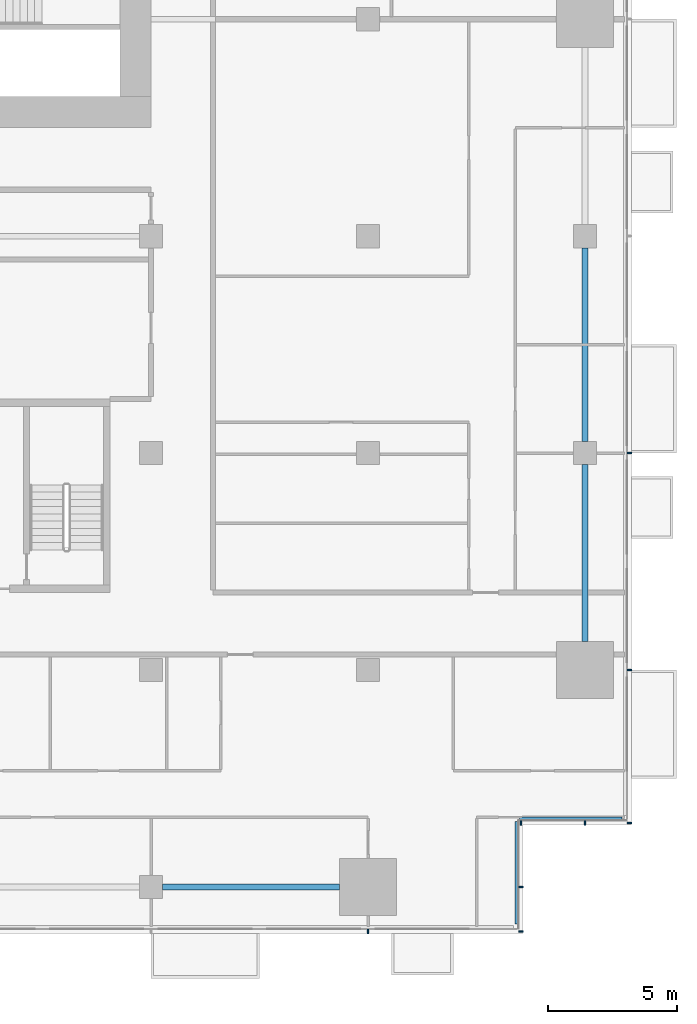
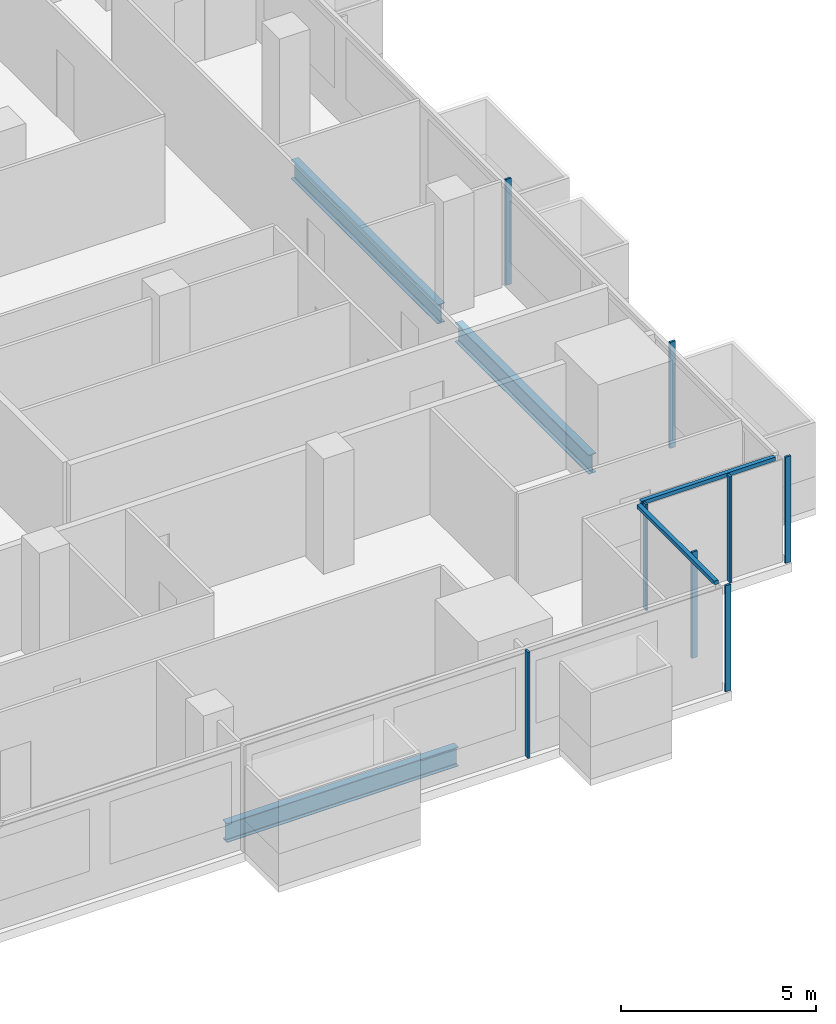
# One storey, part 11 of 27: 10 members, 3 beams, 4 elements without a shape of their own.
"""IFC4 building model written with IfcOpenShell, lengths in metres."""

from ifc_helpers import new_model, si_unit, direction, frame, origin, origin_2d, place, context, subcontext, project, spatial, rectangle, i_section, extrude, material, material_profile, profile_set, type_object, element, aggregate, save


model = new_model("IFC4")

# Units and contexts
model_context = context("Model", 3, precision=1e-05, world=origin(), true_north=direction((0.0, 1.0)))
body_context = subcontext(model_context, "Body", "Model", "MODEL_VIEW")
ifc_project = project(units=[si_unit("LENGTHUNIT", "METRE"), si_unit("AREAUNIT", "SQUARE_METRE"), si_unit("VOLUMEUNIT", "CUBIC_METRE"), si_unit("PLANEANGLEUNIT", "RADIAN"), si_unit("MASSUNIT", "GRAM", prefix="KILO")], contexts=[model_context])

# Site, building, storey
site_placement = place(None, origin())
site = spatial("IfcSite", under=ifc_project, at=site_placement, CompositionType="ELEMENT")
building_placement = place(site_placement, origin())
building = spatial("IfcBuilding", under=site, at=building_placement, Name="Saffron Gate Tower", CompositionType="ELEMENT")
storey_placement = place(building_placement, frame((0.0, 0.0, 40.800048828125)))
storey = spatial("IfcBuildingStorey", under=building, at=storey_placement, Name="L08", CompositionType="ELEMENT", Elevation=40.800048828125)

# Beams
ifc_material_1 = material(Name="Structural steel S355", Category="steel")
ifc_material_profile_1 = material_profile(ifc_material_1, i_section(OverallWidth=0.219970703125, OverallDepth=0.60009765625, WebThickness=0.011962890625, FlangeThickness=0.01904296875, FilletRadius=0.02392578125, at=origin_2d()))
ifc_profile_set_1 = profile_set([ifc_material_profile_1], Name="Structural steel S355")
beam_type = type_object("IfcBeamType", Name="B16 IPE 600", PredefinedType="SPANDREL", material=ifc_profile_set_1)
for number, where, z_axis, x_axis, name in (
    (1, (109.050048828125, 31.800048828125, -0.580078125), (1.0, 0.0, 0.0), (0.0, 1.0, 0.0), "B16 SPANDREL BEAM"),
    (2, (125.39990234375, 41.300048828125, -0.580078125), (0.0, 1.0, 0.0), (-1.0, 0.0, 0.0), "B16 SPANDREL BEAM"),
):
    element("IfcBeam", number, at=place(storey_placement, frame(where, z_axis=z_axis, x_axis=x_axis)), inside=storey, type_object=beam_type, Name=name, PredefinedType="SPANDREL", context=body_context, shape_type="SweptSolid", body=[
        extrude(i_section(OverallWidth=0.219970703125, OverallDepth=0.60009765625, WebThickness=0.011962890625, FlangeThickness=0.01904296875, FilletRadius=0.02392578125, at=origin_2d()), origin(), (0.0, 0.0, 1.0), 6.849853515625),
    ])
beam_placement = place(storey_placement, frame((125.39990234375, 49.050048828125, -0.580078125), z_axis=(0.0, 1.0, 0.0), x_axis=(-1.0, 0.0, 0.0)))
element("IfcBeam", 3, at=beam_placement, inside=storey, type_object=beam_type, Name="B16 SPANDREL BEAM", PredefinedType="SPANDREL", context=body_context, shape_type="SweptSolid", body=[
    extrude(i_section(OverallWidth=0.219970703125, OverallDepth=0.60009765625, WebThickness=0.011962890625, FlangeThickness=0.01904296875, FilletRadius=0.02392578125, at=origin_2d()), origin(), (0.0, 0.0, 1.0), 7.5),
])

# Curtain wall, member
ifc_material_2 = material(Name="Aluminium, bronze anodised", Category="aluminium")
curtain_wall_type_1 = type_object("IfcCurtainWallType", Name="CWS1 curtain wall front facade", PredefinedType="NOTDEFINED", material=ifc_material_2)
curtain_wall_1_placement = place(storey_placement, origin())
curtain_wall_1 = element("IfcCurtainWall", 4, at=curtain_wall_1_placement, inside=storey, type_object=curtain_wall_type_1, Name="CWS1 run 1", PredefinedType="NOTDEFINED")
ifc_material_profile_2 = material_profile(ifc_material_2, rectangle(XDim=0.159912109375, YDim=0.06005859375, at=origin_2d()))
ifc_profile_set_2 = profile_set([ifc_material_profile_2], Name="Aluminium, bronze anodised")
member_type_1 = type_object("IfcMemberType", Name="CWS1 mullion 60x160", PredefinedType="MULLION", material=ifc_profile_set_2)
member_1_placement = place(storey_placement, frame((117.0, 30.080078125, 0.0), z_axis=(0.0, 0.0, 1.0), x_axis=(0.0, 1.0, 0.0)))
member_1 = element("IfcMember", 5, at=member_1_placement, type_object=member_type_1, Name="CWS1 mullion 9", PredefinedType="MULLION", context=body_context, shape_type="SweptSolid", body=[
    extrude(rectangle(XDim=0.159912109375, YDim=0.06005859375, at=origin_2d()), origin(), (0.0, 0.0, 1.0), 3.320068359375),
])
aggregate(curtain_wall_1, [member_1])

# Curtain wall, members
curtain_wall_type_2 = type_object("IfcCurtainWallType", Name="CWS2 curtain wall side facades", PredefinedType="NOTDEFINED", material=ifc_material_2)
curtain_wall_2_placement = place(storey_placement, origin())
curtain_wall_2 = element("IfcCurtainWall", 6, at=curtain_wall_2_placement, inside=storey, type_object=curtain_wall_type_2, Name="CWS2 run 4", PredefinedType="NOTDEFINED")
ifc_material_profile_3 = material_profile(ifc_material_2, rectangle(XDim=0.159912109375, YDim=0.06005859375, at=origin_2d()))
ifc_profile_set_3 = profile_set([ifc_material_profile_3], Name="Aluminium, bronze anodised")
member_type_2 = type_object("IfcMemberType", Name="CWS2 mullion 60x160", PredefinedType="MULLION", material=ifc_profile_set_3)
member_2_placement = place(storey_placement, frame((127.1201171875, 34.280029296875, 0.0), z_axis=(0.0, 0.0, 1.0), x_axis=(-1.0, 0.0, 0.0)))
member_2 = element("IfcMember", 7, at=member_2_placement, type_object=member_type_2, Name="CWS2 mullion 1", PredefinedType="MULLION", context=body_context, shape_type="SweptSolid", body=[
    extrude(rectangle(XDim=0.159912109375, YDim=0.06005859375, at=origin_2d()), origin(), (0.0, 0.0, 1.0), 3.320068359375),
])
member_3_placement = place(storey_placement, frame((127.1201171875, 40.199951171875, 0.0), z_axis=(0.0, 0.0, 1.0), x_axis=(-1.0, 0.0, 0.0)))
member_3 = element("IfcMember", 8, at=member_3_placement, type_object=member_type_2, Name="CWS2 mullion 2", PredefinedType="MULLION", context=body_context, shape_type="SweptSolid", body=[
    extrude(rectangle(XDim=0.159912109375, YDim=0.06005859375, at=origin_2d()), origin(), (0.0, 0.0, 1.0), 3.320068359375),
])
member_4_placement = place(storey_placement, frame((127.1201171875, 48.60009765625, 0.0), z_axis=(0.0, 0.0, 1.0), x_axis=(-1.0, 0.0, 0.0)))
member_4 = element("IfcMember", 9, at=member_4_placement, type_object=member_type_2, Name="CWS2 mullion 3", PredefinedType="MULLION", context=body_context, shape_type="SweptSolid", body=[
    extrude(rectangle(XDim=0.159912109375, YDim=0.06005859375, at=origin_2d()), origin(), (0.0, 0.0, 1.0), 3.320068359375),
])
aggregate(curtain_wall_2, [member_2, member_3, member_4])

# Curtain wall, member
curtain_wall_type_3 = type_object("IfcCurtainWallType", Name="CWS4 curtain wall corner returns", PredefinedType="NOTDEFINED", material=ifc_material_2)
curtain_wall_3_placement = place(storey_placement, origin())
curtain_wall_3 = element("IfcCurtainWall", 10, at=curtain_wall_3_placement, inside=storey, type_object=curtain_wall_type_3, Name="CWS4 run 2", PredefinedType="NOTDEFINED")
ifc_material_profile_4 = material_profile(ifc_material_2, rectangle(XDim=0.1201171875, YDim=0.1201171875, at=origin_2d()))
ifc_profile_set_4 = profile_set([ifc_material_profile_4], Name="Aluminium, bronze anodised")
member_type_3 = type_object("IfcMemberType", Name="CWS4 head transom", PredefinedType="USERDEFINED", material=ifc_profile_set_4)
member_5_placement = place(storey_placement, frame((122.751953125, 30.367919921875, 3.260009765625), z_axis=(0.0, 1.0, 0.0), x_axis=(-1.0, 0.0, 0.0)))
member_5 = element("IfcMember", 11, at=member_5_placement, type_object=member_type_3, Name="CWS4 head transom", ObjectType="TRANSOM", PredefinedType="USERDEFINED", context=body_context, shape_type="SweptSolid", body=[
    extrude(rectangle(XDim=0.1201171875, YDim=0.1201171875, at=origin_2d()), origin(), (0.0, 0.0, 1.0), 3.9599609375),
])

curtain_wall_4_placement = place(storey_placement, origin())
curtain_wall_4 = element("IfcCurtainWall", 12, at=curtain_wall_4_placement, inside=storey, type_object=curtain_wall_type_3, Name="CWS4 run 3", PredefinedType="NOTDEFINED")
member_6_placement = place(storey_placement, frame((122.8720703125, 34.447998046875, 3.260009765625), z_axis=(1.0, 0.0, 0.0), x_axis=(0.0, 1.0, 0.0)))
member_6 = element("IfcMember", 13, at=member_6_placement, type_object=member_type_3, Name="CWS4 head transom", ObjectType="TRANSOM", PredefinedType="USERDEFINED", context=body_context, shape_type="SweptSolid", body=[
    extrude(rectangle(XDim=0.1201171875, YDim=0.1201171875, at=origin_2d()), origin(), (0.0, 0.0, 1.0), 3.9599609375),
])

# Member
ifc_material_profile_5 = material_profile(ifc_material_2, rectangle(XDim=0.159912109375, YDim=0.06005859375, at=origin_2d()))
ifc_profile_set_5 = profile_set([ifc_material_profile_5], Name="Aluminium, bronze anodised")
member_type_4 = type_object("IfcMemberType", Name="CWS4 mullion 60x160", PredefinedType="MULLION", material=ifc_profile_set_5)
member_7_placement = place(storey_placement, frame((122.919921875, 30.080078125, 0.0), z_axis=(0.0, 0.0, 1.0), x_axis=(-1.0, 0.0, 0.0)))
member_7 = element("IfcMember", 14, at=member_7_placement, type_object=member_type_4, Name="CWS4 mullion 1", PredefinedType="MULLION", context=body_context, shape_type="SweptSolid", body=[
    extrude(rectangle(XDim=0.159912109375, YDim=0.06005859375, at=origin_2d()), origin(), (0.0, 0.0, 1.0), 3.320068359375),
])

member_8_placement = place(storey_placement, frame((122.919921875, 31.800048828125, 0.0), z_axis=(0.0, 0.0, 1.0), x_axis=(-1.0, 0.0, 0.0)))
member_8 = element("IfcMember", 15, at=member_8_placement, type_object=member_type_4, Name="CWS4 mullion 2", PredefinedType="MULLION", context=body_context, shape_type="SweptSolid", body=[
    extrude(rectangle(XDim=0.159912109375, YDim=0.06005859375, at=origin_2d()), origin(), (0.0, 0.0, 1.0), 3.320068359375),
])

aggregate(curtain_wall_3, [member_7, member_8, member_5])

member_9_placement = place(storey_placement, frame((122.919921875, 34.280029296875, 0.0), z_axis=(0.0, 0.0, 1.0), x_axis=(0.0, 1.0, 0.0)))
member_9 = element("IfcMember", 16, at=member_9_placement, type_object=member_type_4, Name="CWS4 mullion 1", PredefinedType="MULLION", context=body_context, shape_type="SweptSolid", body=[
    extrude(rectangle(XDim=0.159912109375, YDim=0.06005859375, at=origin_2d()), origin(), (0.0, 0.0, 1.0), 3.320068359375),
])

member_10_placement = place(storey_placement, frame((125.39990234375, 34.280029296875, 0.0), z_axis=(0.0, 0.0, 1.0), x_axis=(0.0, 1.0, 0.0)))
member_10 = element("IfcMember", 17, at=member_10_placement, type_object=member_type_4, Name="CWS4 mullion 2", PredefinedType="MULLION", context=body_context, shape_type="SweptSolid", body=[
    extrude(rectangle(XDim=0.159912109375, YDim=0.06005859375, at=origin_2d()), origin(), (0.0, 0.0, 1.0), 3.320068359375),
])

aggregate(curtain_wall_4, [member_9, member_10, member_6])

save(model, "model.ifc")
